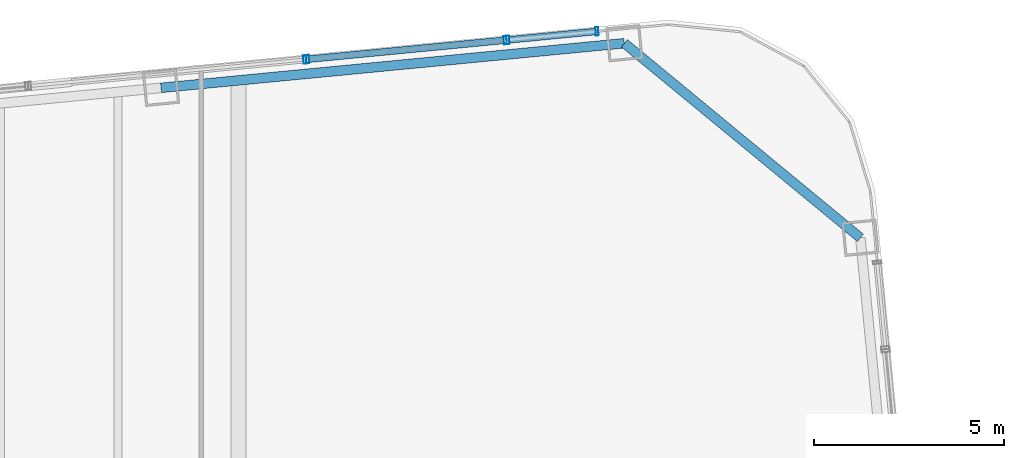
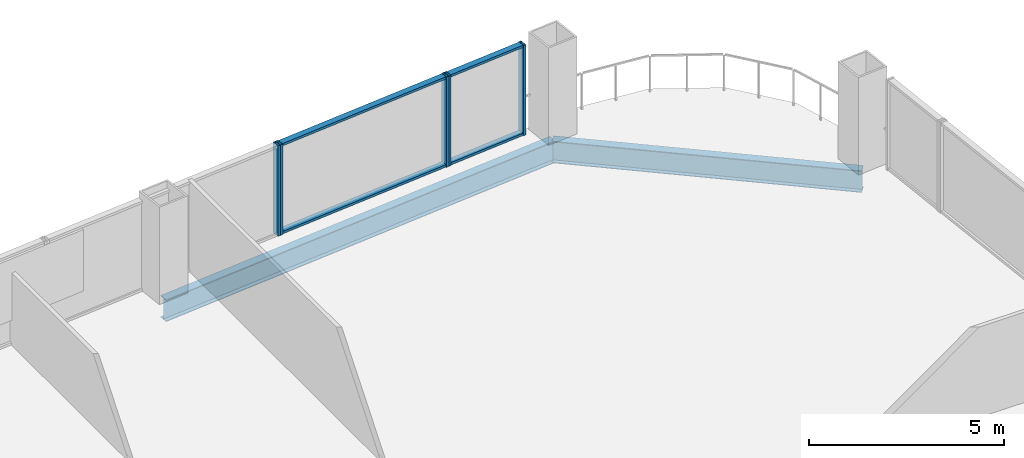
# One storey, part 20 of 27: 9 members, 2 beams, 3 elements without a shape of their own.
"""IFC4 building model written with IfcOpenShell, lengths in metres."""

from ifc_helpers import new_model, si_unit, direction, frame, origin, origin_2d, place, context, subcontext, project, spatial, hollow_rectangle, i_section, extrude, material, layer, layer_set, material_profile, profile_set, type_object, element, aggregate, save


model = new_model("IFC4")

# Units and contexts
model_context = context("Model", 3, precision=1e-05, world=origin(), true_north=direction((0.0, 1.0)))
body_context = subcontext(model_context, "Body", "Model", "MODEL_VIEW")
ifc_project = project(units=[si_unit("LENGTHUNIT", "METRE"), si_unit("AREAUNIT", "SQUARE_METRE"), si_unit("VOLUMEUNIT", "CUBIC_METRE"), si_unit("PLANEANGLEUNIT", "RADIAN"), si_unit("MASSUNIT", "GRAM", prefix="KILO")], contexts=[model_context])

# Site, building, storey
site_placement = place(None, origin())
site = spatial("IfcSite", under=ifc_project, at=site_placement, CompositionType="ELEMENT")
building_placement = place(site_placement, origin())
building = spatial("IfcBuilding", under=site, at=building_placement, Name="Qhalaya Broadcast Tower", CompositionType="ELEMENT")
storey_placement = place(building_placement, frame((0.0, 0.0, 84.699951171875)))
storey = spatial("IfcBuildingStorey", under=building, at=storey_placement, Name="L24", CompositionType="ELEMENT", Elevation=84.699951171875)

# Beams
ifc_material_1 = material(Name="Structural Steel ASTM A992 Grade 50", Category="steel")
ifc_material_profile_1 = material_profile(ifc_material_1, i_section(OverallWidth=0.25390625, OverallDepth=0.68310546875, WebThickness=0.012451171875, FlangeThickness=0.01904296875, at=origin_2d()), Name="W27X94")
ifc_profile_set_1 = profile_set([ifc_material_profile_1], Name="Structural Steel ASTM A992 Grade 50")
beam_type = type_object("IfcBeamType", Name="Perimeter Ring Spandrel Beam SP1", PredefinedType="SPANDREL", material=ifc_profile_set_1)
beam_1_placement = place(storey_placement, frame((25.765380859375, 24.165283203125, -0.5615234375), z_axis=(-0.771633771695, 0.636067073806, 0.0), x_axis=(-0.636067073806, -0.771633771695, 0.0)))
element("IfcBeam", 1, at=beam_1_placement, inside=storey, type_object=beam_type, Name="L24 SP1 L24-SPR-08", PredefinedType="SPANDREL", context=body_context, shape_type="SweptSolid", body=[
    extrude(i_section(OverallWidth=0.25390625, OverallDepth=0.68310546875, WebThickness=0.012451171875, FlangeThickness=0.01904296875, at=origin_2d()), origin(), (0.0, 0.0, 1.0), 8.060791015625),
])
beam_2_placement = place(storey_placement, frame((19.54541015625, 29.29248046875, -0.5615234375), z_axis=(-0.995397535354, -0.095831866369, 0.0), x_axis=(0.095831866369, -0.995397535354, 0.0)))
element("IfcBeam", 2, at=beam_2_placement, inside=storey, type_object=beam_type, Name="L24 SP1 L24-SPR-09", PredefinedType="SPANDREL", context=body_context, shape_type="SweptSolid", body=[
    extrude(i_section(OverallWidth=0.25390625, OverallDepth=0.68310546875, WebThickness=0.012451171875, FlangeThickness=0.01904296875, at=origin_2d()), origin(), (0.0, 0.0, 1.0), 12.2666015625),
])

# Curtain wall, members
ifc_material_2 = material(Name="Fired Architectural Terracotta", Category="masonry")
ifc_layer_1 = layer(ifc_material_2, 0.219970703125, Name="Fired Architectural Terracotta")
ifc_layer_set_1 = layer_set([ifc_layer_1], Name="Fired Architectural Terracotta")
curtain_wall_type_1 = type_object("IfcCurtainWallType", Name="Block-Cap Unitised Terracotta Spandrel Wall CW-07", PredefinedType="NOTDEFINED", material=ifc_layer_set_1)
curtain_wall_1_placement = place(storey_placement, origin())
curtain_wall_1 = element("IfcCurtainWall", 3, at=curtain_wall_1_placement, inside=storey, type_object=curtain_wall_type_1, Name="L24 Unitised Curtain Wall L24-CW-N1", PredefinedType="NOTDEFINED")
ifc_material_3 = material(Name="Anodised Aluminium 6063-T6", Category="aluminium")
ifc_material_profile_2 = material_profile(ifc_material_3, hollow_rectangle(XDim=0.074951171875, YDim=0.219970703125, WallThickness=0.00390625, at=origin_2d()), Name="ALU-MUL 75x220x4")
ifc_profile_set_2 = profile_set([ifc_material_profile_2], Name="Anodised Aluminium 6063-T6")
member_type_1 = type_object("IfcMemberType", Name="Unitised Curtain-Wall Mullion M01", PredefinedType="MULLION", material=ifc_profile_set_2)
member_1_placement = place(storey_placement, frame((18.82470703125, 29.60498046875, 0.0), z_axis=(0.0, 0.0, 1.0), x_axis=(-0.99539620774, -0.09584565518, 0.0)))
member_1 = element("IfcMember", 4, at=member_1_placement, type_object=member_type_1, Name="CW-07 mullion 1", PredefinedType="MULLION", context=body_context, shape_type="SweptSolid", body=[
    extrude(hollow_rectangle(XDim=0.074951171875, YDim=0.219970703125, WallThickness=0.00390625, at=origin_2d()), origin(), (0.0, 0.0, 1.0), 2.830078125),
])
member_2_placement = place(storey_placement, frame((16.4794921875, 29.379150390625, 0.0), z_axis=(0.0, 0.0, 1.0), x_axis=(-0.99539620774, -0.09584565518, 0.0)))
member_2 = element("IfcMember", 5, at=member_2_placement, type_object=member_type_1, Name="CW-07 mullion 2", PredefinedType="MULLION", context=body_context, shape_type="SweptSolid", body=[
    extrude(hollow_rectangle(XDim=0.074951171875, YDim=0.219970703125, WallThickness=0.00390625, at=origin_2d()), origin(), (0.0, 0.0, 1.0), 2.830078125),
])

ifc_material_4 = material(Name="Solar-Control Low-E Triple Glazing", Category="glass")
ifc_layer_2 = layer(ifc_material_4, 0.219970703125, Name="Solar-Control Low-E Triple Glazing")
ifc_layer_set_2 = layer_set([ifc_layer_2], Name="Solar-Control Low-E Triple Glazing")
curtain_wall_type_2 = type_object("IfcCurtainWallType", Name="Even-Block 4-Storey Double-Module Curtain Wall CW-03", PredefinedType="NOTDEFINED", material=ifc_layer_set_2)
curtain_wall_2_placement = place(storey_placement, origin())
curtain_wall_2 = element("IfcCurtainWall", 6, at=curtain_wall_2_placement, inside=storey, type_object=curtain_wall_type_2, Name="L24 Unitised Curtain Wall L24-CW-N2", PredefinedType="NOTDEFINED")
member_3_placement = place(storey_placement, frame((16.40478515625, 29.3720703125, 0.0), z_axis=(0.0, 0.0, 1.0), x_axis=(-0.995395549991, -0.095852485923, 0.0)))
member_3 = element("IfcMember", 7, at=member_3_placement, type_object=member_type_1, Name="CW-03 mullion 1", PredefinedType="MULLION", context=body_context, shape_type="SweptSolid", body=[
    extrude(hollow_rectangle(XDim=0.074951171875, YDim=0.219970703125, WallThickness=0.00390625, at=origin_2d()), origin(), (0.0, 0.0, 1.0), 2.830078125),
])
member_4_placement = place(storey_placement, frame((11.198974609375, 28.87060546875, 0.0), z_axis=(0.0, 0.0, 1.0), x_axis=(-0.995395549991, -0.095852485923, 0.0)))
member_4 = element("IfcMember", 8, at=member_4_placement, type_object=member_type_1, Name="CW-03 mullion 2", PredefinedType="MULLION", context=body_context, shape_type="SweptSolid", body=[
    extrude(hollow_rectangle(XDim=0.074951171875, YDim=0.219970703125, WallThickness=0.00390625, at=origin_2d()), origin(), (0.0, 0.0, 1.0), 2.830078125),
])

# Curtain wall, member
curtain_wall_3_placement = place(storey_placement, origin())
curtain_wall_3 = element("IfcCurtainWall", 9, at=curtain_wall_3_placement, inside=storey, type_object=curtain_wall_type_1, Name="L24 Unitised Curtain Wall L24-CW-N3", PredefinedType="NOTDEFINED")
member_5_placement = place(storey_placement, frame((11.124267578125, 28.863525390625, 0.0), z_axis=(0.0, 0.0, 1.0), x_axis=(-0.995396450907, -0.095843129762, 0.0)))
member_5 = element("IfcMember", 10, at=member_5_placement, type_object=member_type_1, Name="CW-07 mullion 1", PredefinedType="MULLION", context=body_context, shape_type="SweptSolid", body=[
    extrude(hollow_rectangle(XDim=0.074951171875, YDim=0.219970703125, WallThickness=0.00390625, at=origin_2d()), origin(), (0.0, 0.0, 1.0), 2.830078125),
])
aggregate(curtain_wall_3, [member_5])

# Member
ifc_material_profile_3 = material_profile(ifc_material_3, hollow_rectangle(XDim=0.074951171875, YDim=0.179931640625, WallThickness=0.00390625, at=origin_2d()), Name="ALU-TRN 75x180x4")
ifc_profile_set_3 = profile_set([ifc_material_profile_3], Name="Anodised Aluminium 6063-T6")
member_type_2 = type_object("IfcMemberType", Name="Unitised Curtain-Wall Transom T01", PredefinedType="USERDEFINED", material=ifc_profile_set_3)
member_6_placement = place(storey_placement, frame((18.787353515625, 29.601318359375, 0.03759765625), z_axis=(-0.995401181684, -0.095793984689, 0.0), x_axis=(0.0, 0.0, 1.0)))
member_6 = element("IfcMember", 11, at=member_6_placement, type_object=member_type_2, Name="CW-07 transom 1.1", ObjectType="TRANSOM", PredefinedType="USERDEFINED", context=body_context, shape_type="SweptSolid", body=[
    extrude(hollow_rectangle(XDim=0.074951171875, YDim=0.179931640625, WallThickness=0.00390625, at=origin_2d()), origin(), (0.0, 0.0, 1.0), 2.281005859375),
])

member_7_placement = place(storey_placement, frame((18.787353515625, 29.601318359375, 2.79248046875), z_axis=(-0.995401181684, -0.095793984689, 0.0), x_axis=(0.0, 0.0, 1.0)))
member_7 = element("IfcMember", 12, at=member_7_placement, type_object=member_type_2, Name="CW-07 transom 1.2", ObjectType="TRANSOM", PredefinedType="USERDEFINED", context=body_context, shape_type="SweptSolid", body=[
    extrude(hollow_rectangle(XDim=0.074951171875, YDim=0.179931640625, WallThickness=0.00390625, at=origin_2d()), origin(), (0.0, 0.0, 1.0), 2.281005859375),
])

aggregate(curtain_wall_1, [member_1, member_2, member_6, member_7])

member_8_placement = place(storey_placement, frame((16.367431640625, 29.368408203125, 0.03759765625), z_axis=(-0.995394874019, -0.095859505401, 0.0), x_axis=(0.0, 0.0, 1.0)))
member_8 = element("IfcMember", 13, at=member_8_placement, type_object=member_type_2, Name="CW-03 transom 1.1", ObjectType="TRANSOM", PredefinedType="USERDEFINED", context=body_context, shape_type="SweptSolid", body=[
    extrude(hollow_rectangle(XDim=0.074951171875, YDim=0.179931640625, WallThickness=0.00390625, at=origin_2d()), origin(), (0.0, 0.0, 1.0), 5.15478515625),
])

member_9_placement = place(storey_placement, frame((16.367431640625, 29.368408203125, 2.79248046875), z_axis=(-0.995394874019, -0.095859505401, 0.0), x_axis=(0.0, 0.0, 1.0)))
member_9 = element("IfcMember", 14, at=member_9_placement, type_object=member_type_2, Name="CW-03 transom 1.2", ObjectType="TRANSOM", PredefinedType="USERDEFINED", context=body_context, shape_type="SweptSolid", body=[
    extrude(hollow_rectangle(XDim=0.074951171875, YDim=0.179931640625, WallThickness=0.00390625, at=origin_2d()), origin(), (0.0, 0.0, 1.0), 5.15478515625),
])

aggregate(curtain_wall_2, [member_3, member_4, member_8, member_9])

save(model, "model.ifc")
